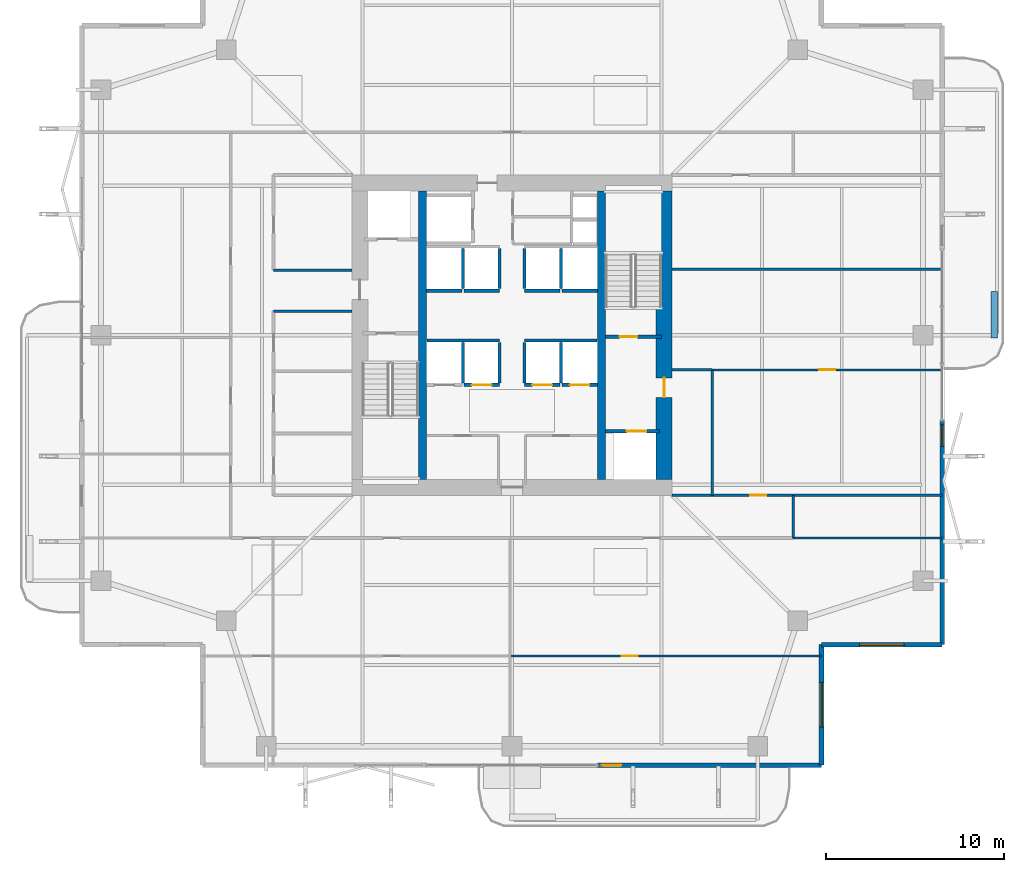
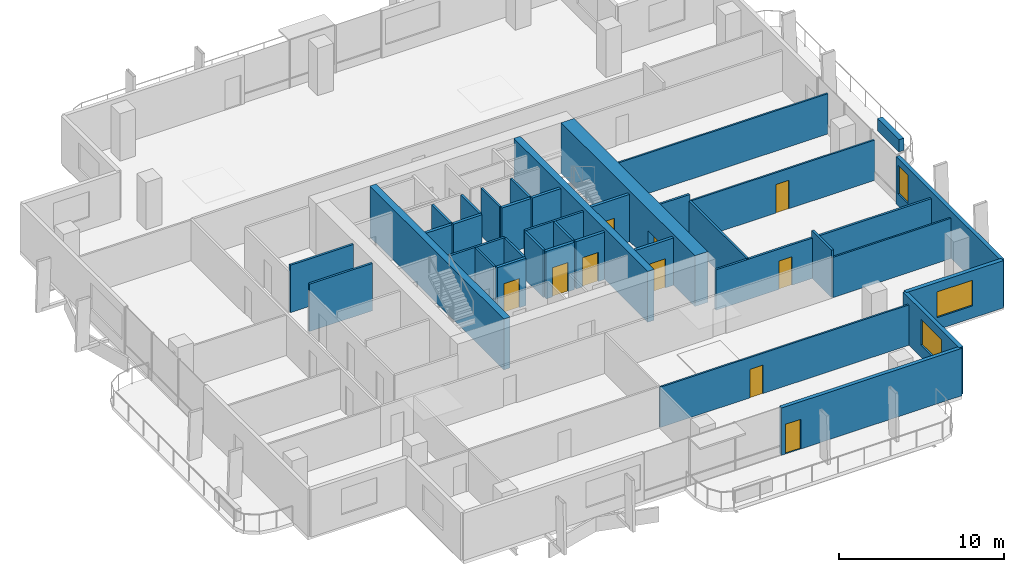
# One storey, part 19 of 25: 37 walls, 10 doors, 3 windows, 13 openings.
"""IFC4 building model written with IfcOpenShell, lengths in metres."""

from ifc_helpers import new_model, si_unit, direction, frame, frame_2d, origin, place, context, subcontext, project, spatial, rectangle, extrude, material, layer, layer_set, type_object, element, fill, save


model = new_model("IFC4")

# Units and contexts
model_context = context("Model", 3, precision=1e-05, world=origin(), true_north=direction((0.0, 1.0)))
body_context = subcontext(model_context, "Body", "Model", "MODEL_VIEW")
ifc_project = project(units=[si_unit("LENGTHUNIT", "METRE"), si_unit("AREAUNIT", "SQUARE_METRE"), si_unit("VOLUMEUNIT", "CUBIC_METRE"), si_unit("PLANEANGLEUNIT", "RADIAN"), si_unit("MASSUNIT", "GRAM", prefix="KILO")], contexts=[model_context])

# Site, building, storey
site_placement = place(None, origin())
site = spatial("IfcSite", under=ifc_project, at=site_placement, CompositionType="ELEMENT")
building_placement = place(site_placement, origin())
building = spatial("IfcBuilding", under=site, at=building_placement, Name="Belovzor Exchange Tower", CompositionType="ELEMENT")
storey_placement = place(building_placement, frame((0.0, 0.0, 142.050048828125)))
storey = spatial("IfcBuildingStorey", under=building, at=storey_placement, Name="L34", CompositionType="ELEMENT", Elevation=142.050048828125)

# Wall, opening, door
ifc_material_1 = material(Name="Acoustic Plasterboard on Galvanised Studs", Category="gypsum")
ifc_layer_1 = layer(ifc_material_1, 0.1201171875)
ifc_layer_set_1 = layer_set([ifc_layer_1], Name="Acoustic Plasterboard on Galvanised Studs")
wall_type_1 = type_object("IfcWallType", Name="Acoustic Double-Stud Partition Wall 120", PredefinedType="PARTITIONING", material=ifc_layer_set_1)
wall_1_placement = place(storey_placement, frame((28.696044921875, 10.76611328125, 0.0), z_axis=(0.0, 0.0, 1.0), x_axis=(1.0, 0.0, 0.0)))
wall_1 = element("IfcWall", 1, at=wall_1_placement, inside=storey, type_object=wall_type_1, Name="W-P120 Partition Wall W-L34-SHDIV-2", PredefinedType="PARTITIONING", context=body_context, shape_type="SweptSolid", body=[
    extrude(rectangle(XDim=17.50390625, YDim=0.1201171875, at=frame_2d((8.751953125, 0.0))), origin(), (0.0, 0.0, 1.0), 2.97998046875),
])
opening_1_placement = place(wall_1_placement, frame((6.277099609375, 0.0, 0.0)))
opening_1 = element("IfcOpeningElement", 2, at=opening_1_placement, cuts=wall_1, Name="Opening D-INT-090", PredefinedType="OPENING", context=body_context, shape_type="SweptSolid", body=[
    extrude(rectangle(XDim=0.89990234375, YDim=2.10009765625, at=frame_2d((0.449951171875, 1.050048828125))), frame((0.0, 0.070068359375, 0.0), z_axis=(0.0, -1.0, 0.0), x_axis=(1.0, 0.0, 0.0)), (0.0, 0.0, 1.0), 0.14013671875),
])
ifc_material_2 = material(Name="Veneered Hardwood Acoustic Leaf", Category="wood")
door_type_1 = type_object("IfcDoorType", Name="Trading Suite Acoustic Single Door 900x2100", OperationType="NOTDEFINED", PredefinedType="DOOR", material=ifc_material_2)
door_1_placement = place(opening_1_placement, origin())
door_1 = element("IfcDoor", 3, at=door_1_placement, inside=storey, type_object=door_type_1, Name="D-INT-090 Trading Suite Acoustic Single Door 900x2100", OperationType="SINGLE_SWING_LEFT", OverallHeight=2.10009765625, OverallWidth=0.89990234375, PredefinedType="DOOR", context=body_context, shape_type="SweptSolid", body=[
    extrude(rectangle(XDim=0.89990234375, YDim=2.10009765625, at=frame_2d((0.449951171875, 1.050048828125))), frame((0.0, 0.02490234375, 0.0), z_axis=(0.0, -1.0, 0.0), x_axis=(1.0, 0.0, 0.0)), (0.0, 0.0, 1.0), 0.050048828125),
])
fill(opening_1, door_1)

wall_2_placement = place(storey_placement, frame((40.050048828125, 26.85009765625, 0.0), z_axis=(0.0, 0.0, 1.0), x_axis=(1.0, 0.0, 0.0)))
wall_2 = element("IfcWall", 4, at=wall_2_placement, inside=storey, type_object=wall_type_1, Name="W-P120 Partition Wall W-L34-EDIV-1", PredefinedType="PARTITIONING", context=body_context, shape_type="SweptSolid", body=[
    extrude(rectangle(XDim=12.919921875, YDim=0.1201171875, at=frame_2d((6.4599609375, 0.0))), origin(), (0.0, 0.0, 1.0), 2.97998046875),
])
opening_2_placement = place(wall_2_placement, frame((6.010009765625, 0.0, 0.0)))
opening_2 = element("IfcOpeningElement", 5, at=opening_2_placement, cuts=wall_2, Name="Opening D-INT-090", PredefinedType="OPENING", context=body_context, shape_type="SweptSolid", body=[
    extrude(rectangle(XDim=0.89990234375, YDim=2.10009765625, at=frame_2d((0.449951171875, 1.050048828125))), frame((0.0, 0.070068359375, 0.0), z_axis=(0.0, -1.0, 0.0), x_axis=(1.0, 0.0, 0.0)), (0.0, 0.0, 1.0), 0.14013671875),
])
door_2_placement = place(opening_2_placement, origin())
door_2 = element("IfcDoor", 6, at=door_2_placement, inside=storey, type_object=door_type_1, Name="D-INT-090 Trading Suite Acoustic Single Door 900x2100", OperationType="SINGLE_SWING_LEFT", OverallHeight=2.10009765625, OverallWidth=0.89990234375, PredefinedType="DOOR", context=body_context, shape_type="SweptSolid", body=[
    extrude(rectangle(XDim=0.89990234375, YDim=2.10009765625, at=frame_2d((0.449951171875, 1.050048828125))), frame((0.0, 0.02490234375, 0.0), z_axis=(0.0, -1.0, 0.0), x_axis=(1.0, 0.0, 0.0)), (0.0, 0.0, 1.0), 0.050048828125),
])
fill(opening_2, door_2)

# Walls
wall_3_placement = place(storey_placement, frame((37.800048828125, 32.5, 0.0), z_axis=(0.0, 0.0, 1.0), x_axis=(1.0, 0.0, 0.0)))
element("IfcWall", 7, at=wall_3_placement, inside=storey, type_object=wall_type_1, Name="W-P120 Partition Wall W-L34-EDIV-2", PredefinedType="PARTITIONING", context=body_context, shape_type="SweptSolid", body=[
    extrude(rectangle(XDim=15.169921875, YDim=0.1201171875, at=frame_2d((7.5849609375, 0.0))), origin(), (0.0, 0.0, 1.0), 2.97998046875),
])
wall_4_placement = place(storey_placement, frame((44.60009765625, 17.39990234375, 0.0), z_axis=(0.0, 0.0, 1.0), x_axis=(1.0, 0.0, 0.0)))
element("IfcWall", 8, at=wall_4_placement, inside=storey, type_object=wall_type_1, Name="W-P120 Partition Wall W-L34-END-SE", PredefinedType="PARTITIONING", context=body_context, shape_type="SweptSolid", body=[
    extrude(rectangle(XDim=8.369873046875, YDim=0.1201171875, at=frame_2d((4.18505859375, 0.0))), origin(), (0.0, 0.0, 1.0), 2.97998046875),
])
ifc_material_3 = material(Name="Fire-Rated Gypsum Block and Mineral Wool", Category="gypsum")
ifc_layer_2 = layer(ifc_material_3, 0.14990234375)
ifc_layer_set_2 = layer_set([ifc_layer_2], Name="Fire-Rated Gypsum Block and Mineral Wool")
wall_type_2 = type_object("IfcWallType", Name="Fire-Rated Gypsum Block Corridor Wall 150", PredefinedType="PARTITIONING", material=ifc_layer_set_2)
for number, where, z_axis, x_axis, name in (
    (9, (15.39990234375, 30.14990234375, 0.0), (0.0, 0.0, 1.0), (1.0, 0.0, 0.0), "W-P150 Partition Wall W-L34-WIC-N"),
    (10, (15.39990234375, 32.449951171875, 0.0), (0.0, 0.0, 1.0), (1.0, 0.0, 0.0), "W-P150 Partition Wall W-L34-CFW-N"),
):
    element("IfcWall", number, at=place(storey_placement, frame(where, z_axis=z_axis, x_axis=x_axis)), inside=storey, type_object=wall_type_2, Name=name, PredefinedType="PARTITIONING", context=body_context, shape_type="SweptSolid", body=[
        extrude(rectangle(XDim=4.400146484375, YDim=0.14990234375, at=frame_2d((2.2001953125, 0.0))), origin(), (0.0, 0.0, 1.0), 3.494873046875),
    ])
wall_5_placement = place(storey_placement, frame((37.800048828125, 26.85009765625, 0.0), z_axis=(0.0, 0.0, 1.0), x_axis=(1.0, 0.0, 0.0)))
element("IfcWall", 11, at=wall_5_placement, inside=storey, type_object=wall_type_2, Name="W-P150 Partition Wall W-L34-CFE-N", PredefinedType="PARTITIONING", context=body_context, shape_type="SweptSolid", body=[
    extrude(rectangle(XDim=2.25, YDim=0.14990234375, at=frame_2d((1.125, 0.0))), origin(), (0.0, 0.0, 1.0), 3.494873046875),
])
wall_6_placement = place(storey_placement, frame((40.050048828125, 19.800048828125, 0.0), z_axis=(0.0, 0.0, 1.0), x_axis=(0.0, 1.0, 0.0)))
element("IfcWall", 12, at=wall_6_placement, inside=storey, type_object=wall_type_2, Name="W-P150 Partition Wall W-L34-CFE-E", PredefinedType="PARTITIONING", context=body_context, shape_type="SweptSolid", body=[
    extrude(rectangle(XDim=7.050048828125, YDim=0.14990234375, at=frame_2d((3.52490234375, 0.0))), origin(), (0.0, 0.0, 1.0), 3.030029296875),
])
wall_7_placement = place(storey_placement, frame((44.60009765625, 17.39990234375, 0.0), z_axis=(0.0, 0.0, 1.0), x_axis=(0.0, 1.0, 0.0)))
element("IfcWall", 13, at=wall_7_placement, inside=storey, type_object=wall_type_2, Name="W-P150 Partition Wall W-L34-END-ES", PredefinedType="PARTITIONING", context=body_context, shape_type="SweptSolid", body=[
    extrude(rectangle(XDim=2.400146484375, YDim=0.14990234375, at=frame_2d((1.2001953125, 0.0))), origin(), (0.0, 0.0, 1.0), 3.494873046875),
])

# Wall, opening, door
wall_8_placement = place(storey_placement, frame((37.800048828125, 19.800048828125, 0.0), z_axis=(0.0, 0.0, 1.0), x_axis=(1.0, 0.0, 0.0)))
wall_8 = element("IfcWall", 14, at=wall_8_placement, inside=storey, type_object=wall_type_2, Name="W-P150 Partition Wall W-L34-CS-IN", PredefinedType="PARTITIONING", context=body_context, shape_type="SweptSolid", body=[
    extrude(rectangle(XDim=15.169921875, YDim=0.14990234375, at=frame_2d((7.5849609375, 0.0))), origin(), (0.0, 0.0, 1.0), 2.97998046875),
])
opening_3_placement = place(wall_8_placement, frame((4.39990234375, 0.0, 0.0)))
opening_3 = element("IfcOpeningElement", 15, at=opening_3_placement, cuts=wall_8, Name="Opening D-INT-090", PredefinedType="OPENING", context=body_context, shape_type="SweptSolid", body=[
    extrude(rectangle(XDim=0.89990234375, YDim=2.10009765625, at=frame_2d((0.449951171875, 1.050048828125))), frame((0.0, 0.0849609375, 0.0), z_axis=(0.0, -1.0, 0.0), x_axis=(1.0, 0.0, 0.0)), (0.0, 0.0, 1.0), 0.169921875),
])
door_3_placement = place(opening_3_placement, origin())
door_3 = element("IfcDoor", 16, at=door_3_placement, inside=storey, type_object=door_type_1, Name="D-INT-090 Trading Suite Acoustic Single Door 900x2100", OperationType="SINGLE_SWING_LEFT", OverallHeight=2.10009765625, OverallWidth=0.89990234375, PredefinedType="DOOR", context=body_context, shape_type="SweptSolid", body=[
    extrude(rectangle(XDim=0.89990234375, YDim=2.10009765625, at=frame_2d((0.449951171875, 1.050048828125))), frame((0.0, 0.02490234375, 0.0), z_axis=(0.0, -1.0, 0.0), x_axis=(1.0, 0.0, 0.0)), (0.0, 0.0, 1.0), 0.050048828125),
])
fill(opening_3, door_3)

# Wall, opening, window
ifc_material_4 = material(Name="Precast concrete C40/50", Category="concrete")
ifc_layer_3 = layer(ifc_material_4, 0.280029296875)
ifc_layer_set_3 = layer_set([ifc_layer_3], Name="Precast concrete C40/50")
wall_type_3 = type_object("IfcWallType", Name="Precast Concrete Notched Corner Frame Wall 280", PredefinedType="SOLIDWALL", material=ifc_layer_set_3)
wall_9_placement = place(storey_placement, frame((52.969970703125, 11.39990234375, 0.0), z_axis=(0.0, 0.0, 1.0), x_axis=(-1.0, 0.0, 0.0)))
wall_9 = element("IfcWall", 17, at=wall_9_placement, inside=storey, type_object=wall_type_3, Name="W-CRN280 Precast Concrete Notched Corner Frame Wall 280 L34", PredefinedType="SOLIDWALL", context=body_context, shape_type="SweptSolid", body=[
    extrude(rectangle(XDim=6.77001953125, YDim=0.280029296875, at=frame_2d((3.385009765625, 0.0))), origin(), (0.0, 0.0, 1.0), 3.494873046875),
])
opening_4_placement = place(wall_9_placement, frame((2.135009765625, 0.0, 0.89990234375)))
opening_4 = element("IfcOpeningElement", 18, at=opening_4_placement, cuts=wall_9, Name="Opening WN-CRN250", PredefinedType="OPENING", context=body_context, shape_type="SweptSolid", body=[
    extrude(rectangle(XDim=2.5, YDim=1.89990234375, at=frame_2d((1.25, 0.949951171875))), frame((0.0, 0.14990234375, 0.0), z_axis=(0.0, -1.0, 0.0), x_axis=(1.0, 0.0, 0.0)), (0.0, 0.0, 1.0), 0.300048828125),
])
ifc_material_5 = material(Name="Thermally Broken Aluminium and Triple Glazing", Category="aluminium")
window_type_1 = type_object("IfcWindowType", Name="Streamline Moderne Corner Wrap Ribbon Window 2500x1900", PartitioningType="SINGLE_PANEL", PredefinedType="WINDOW", material=ifc_material_5)
window_1_placement = place(opening_4_placement, origin())
window_1 = element("IfcWindow", 19, at=window_1_placement, inside=storey, type_object=window_type_1, Name="WN-CRN250 Streamline Moderne Corner Wrap Ribbon Window 2500x1900", OverallHeight=1.89990234375, OverallWidth=2.5, PartitioningType="SINGLE_PANEL", PredefinedType="WINDOW", context=body_context, shape_type="SweptSolid", body=[
    extrude(rectangle(XDim=2.5, YDim=1.89990234375, at=frame_2d((1.25, 0.949951171875))), frame((0.0, 0.030029296875, 0.0), z_axis=(0.0, -1.0, 0.0), x_axis=(1.0, 0.0, 0.0)), (0.0, 0.0, 1.0), 0.06005859375),
])
fill(opening_4, window_1)

wall_10_placement = place(storey_placement, frame((46.199951171875, 11.39990234375, 0.0), z_axis=(0.0, 0.0, 1.0), x_axis=(0.0, -1.0, 0.0)))
wall_10 = element("IfcWall", 20, at=wall_10_placement, inside=storey, type_object=wall_type_3, Name="W-CRN280 Precast Concrete Notched Corner Frame Wall 280 L34", PredefinedType="SOLIDWALL", context=body_context, shape_type="SweptSolid", body=[
    extrude(rectangle(XDim=6.77001953125, YDim=0.280029296875, at=frame_2d((3.385009765625, 0.0))), origin(), (0.0, 0.0, 1.0), 3.494873046875),
])
opening_5_placement = place(wall_10_placement, frame((2.135009765625, 0.0, 0.89990234375)))
opening_5 = element("IfcOpeningElement", 21, at=opening_5_placement, cuts=wall_10, Name="Opening WN-CRN250", PredefinedType="OPENING", context=body_context, shape_type="SweptSolid", body=[
    extrude(rectangle(XDim=2.5, YDim=1.89990234375, at=frame_2d((1.25, 0.949951171875))), frame((0.0, 0.14990234375, 0.0), z_axis=(0.0, -1.0, 0.0), x_axis=(1.0, 0.0, 0.0)), (0.0, 0.0, 1.0), 0.300048828125),
])
window_2_placement = place(opening_5_placement, origin())
window_2 = element("IfcWindow", 22, at=window_2_placement, inside=storey, type_object=window_type_1, Name="WN-CRN250 Streamline Moderne Corner Wrap Ribbon Window 2500x1900", OverallHeight=1.89990234375, OverallWidth=2.5, PartitioningType="SINGLE_PANEL", PredefinedType="WINDOW", context=body_context, shape_type="SweptSolid", body=[
    extrude(rectangle(XDim=2.5, YDim=1.89990234375, at=frame_2d((1.25, 0.949951171875))), frame((0.0, 0.030029296875, 0.0), z_axis=(0.0, -1.0, 0.0), x_axis=(1.0, 0.0, 0.0)), (0.0, 0.0, 1.0), 0.06005859375),
])
fill(opening_5, window_2)

# Wall, opening, door
ifc_material_6 = material(Name="Precast concrete C40/50", Category="concrete")
ifc_layer_4 = layer(ifc_material_6, 0.260009765625)
ifc_layer_set_4 = layer_set([ifc_layer_4], Name="Precast concrete C40/50")
wall_type_4 = type_object("IfcWallType", Name="Precast Concrete Perimeter Loggia Frame Wall 260", PredefinedType="SOLIDWALL", material=ifc_layer_set_4)
wall_11_placement = place(storey_placement, frame((46.199951171875, 4.6298828125, 0.0), z_axis=(0.0, 0.0, 1.0), x_axis=(-1.0, 0.0, 0.0)))
wall_11 = element("IfcWall", 23, at=wall_11_placement, inside=storey, type_object=wall_type_4, Name="W-EXT260 Precast Concrete Perimeter Loggia Frame Wall 260 L34", PredefinedType="SOLIDWALL", context=body_context, shape_type="SweptSolid", body=[
    extrude(rectangle(XDim=12.599853515625, YDim=0.260009765625, at=frame_2d((6.2998046875, 0.0))), origin(), (0.0, 0.0, 1.0), 3.494873046875),
])
opening_6_placement = place(wall_11_placement, frame((11.25, 0.0, 0.0)))
opening_6 = element("IfcOpeningElement", 24, at=opening_6_placement, cuts=wall_11, Name="Opening D-BAL110", PredefinedType="OPENING", context=body_context, shape_type="SweptSolid", body=[
    extrude(rectangle(XDim=1.10009765625, YDim=2.199951171875, at=frame_2d((0.550048828125, 1.10009765625))), frame((0.0, 0.139892578125, 0.0), z_axis=(0.0, -1.0, 0.0), x_axis=(1.0, 0.0, 0.0)), (0.0, 0.0, 1.0), 0.280029296875),
])
ifc_material_7 = material(Name="Thermally Broken Anodised Aluminium and Laminated Glass", Category="aluminium")
door_type_2 = type_object("IfcDoorType", Name="Planted Loggia Terrace Glazed Door 1100x2200", OperationType="SINGLE_SWING_LEFT", PredefinedType="DOOR", material=ifc_material_7)
door_4_placement = place(opening_6_placement, origin())
door_4 = element("IfcDoor", 25, at=door_4_placement, inside=storey, type_object=door_type_2, Name="D-BAL110 Balcony Terrace Door L34 S", OperationType="SINGLE_SWING_LEFT", OverallHeight=2.199951171875, OverallWidth=1.10009765625, PredefinedType="DOOR", context=body_context, shape_type="SweptSolid", body=[
    extrude(rectangle(XDim=1.10009765625, YDim=2.199951171875, at=frame_2d((0.550048828125, 1.10009765625))), frame((0.0, 0.02490234375, 0.0), z_axis=(0.0, -1.0, 0.0), x_axis=(1.0, 0.0, 0.0)), (0.0, 0.0, 1.0), 0.050048828125),
])
fill(opening_6, door_4)

# Wall, opening, window
wall_12_placement = place(storey_placement, frame((52.969970703125, 24.0, 0.0), z_axis=(0.0, 0.0, 1.0), x_axis=(0.0, -1.0, 0.0)))
wall_12 = element("IfcWall", 26, at=wall_12_placement, inside=storey, type_object=wall_type_4, Name="W-EXT260 Precast Concrete Perimeter Loggia Frame Wall 260 L34", PredefinedType="SOLIDWALL", context=body_context, shape_type="SweptSolid", body=[
    extrude(rectangle(XDim=12.60009765625, YDim=0.260009765625, at=frame_2d((6.300048828125, 0.0))), origin(), (0.0, 0.0, 1.0), 3.494873046875),
])
opening_7_placement = place(wall_12_placement, frame((0.25, 0.0, 0.89990234375)))
opening_7 = element("IfcOpeningElement", 27, at=opening_7_placement, cuts=wall_12, Name="Opening WN-CRN120", PredefinedType="OPENING", context=body_context, shape_type="SweptSolid", body=[
    extrude(rectangle(XDim=1.199951171875, YDim=2.10009765625, at=frame_2d((0.60009765625, 1.050048828125))), frame((0.0, 0.139892578125, 0.0), z_axis=(0.0, -1.0, 0.0), x_axis=(1.0, 0.0, 0.0)), (0.0, 0.0, 1.0), 0.280029296875),
])
ifc_material_8 = material(Name="Thermally Broken Aluminium and Triple Glazing", Category="aluminium")
window_type_2 = type_object("IfcWindowType", Name="Streamline Notched Corner Window 1200x2100", PartitioningType="SINGLE_PANEL", PredefinedType="WINDOW", material=ifc_material_8)
window_3_placement = place(opening_7_placement, origin())
window_3 = element("IfcWindow", 28, at=window_3_placement, inside=storey, type_object=window_type_2, Name="WN-CRN120 Streamline Notched Corner Window 1200x2100", OverallHeight=2.10009765625, OverallWidth=1.199951171875, PartitioningType="SINGLE_PANEL", PredefinedType="WINDOW", context=body_context, shape_type="SweptSolid", body=[
    extrude(rectangle(XDim=1.199951171875, YDim=2.10009765625, at=frame_2d((0.60009765625, 1.050048828125))), frame((0.0, 0.030029296875, 0.0), z_axis=(0.0, -1.0, 0.0), x_axis=(1.0, 0.0, 0.0)), (0.0, 0.0, 1.0), 0.06005859375),
])
fill(opening_7, window_3)

# Walls
ifc_material_9 = material(Name="Precast concrete C40/50", Category="concrete")
ifc_layer_5 = layer(ifc_material_9, 0.35009765625)
ifc_layer_set_5 = layer_set([ifc_layer_5], Name="Precast concrete C40/50")
wall_type_5 = type_object("IfcWallType", Name="Precast Concrete Structural Tree Planter Trough 350", PredefinedType="PARAPET", material=ifc_layer_set_5)
wall_13_placement = place(storey_placement, frame((55.89990234375, 28.64990234375, 0.0), z_axis=(0.0, 0.0, 1.0), x_axis=(0.0, 1.0, 0.0)))
element("IfcWall", 29, at=wall_13_placement, inside=storey, type_object=wall_type_5, Name="PT-350 Precast Concrete Structural Tree Planter Trough 350 L34", PredefinedType="PARAPET", context=body_context, shape_type="SweptSolid", body=[
    extrude(rectangle(XDim=2.60009765625, YDim=0.35009765625, at=frame_2d((1.300048828125, 0.0))), origin(), (0.0, 0.0, 1.0), 0.89990234375),
])
ifc_material_10 = material(Name="Concrete C50/60", Category="concrete")
ifc_layer_6 = layer(ifc_material_10, 0.449951171875)
ifc_layer_set_6 = layer_set([ifc_layer_6], Name="Concrete C50/60")
wall_type_6 = type_object("IfcWallType", Name="Reinforced Concrete Core Internal Web Wall 450", PredefinedType="SHEAR", material=ifc_layer_set_6)
for number, where, z_axis, x_axis, name in (
    (30, (23.77490234375, 20.699951171875, 0.0), (0.0, 0.0, 1.0), (0.0, 1.0, 0.0), "CW-W045 Core Internal Web Wall L34 WL"),
    (31, (33.824951171875, 20.699951171875, 0.0), (0.0, 0.0, 1.0), (0.0, 1.0, 0.0), "CW-W045 Core Internal Web Wall L34 ER"),
):
    element("IfcWall", number, at=place(storey_placement, frame(where, z_axis=z_axis, x_axis=x_axis)), inside=storey, type_object=wall_type_6, Name=name, PredefinedType="SHEAR", context=body_context, shape_type="SweptSolid", body=[
        extrude(rectangle(XDim=16.199951171875, YDim=0.449951171875, at=frame_2d((8.10009765625, 0.0))), origin(), (0.0, 0.0, 1.0), 3.75),
    ])
ifc_material_11 = material(Name="Concrete C50/60", Category="concrete")
ifc_layer_7 = layer(ifc_material_11, 0.14990234375)
ifc_layer_set_7 = layer_set([ifc_layer_7], Name="Concrete C50/60")
wall_type_7 = type_object("IfcWallType", Name="Reinforced Concrete Core Riser Shear Wall 150", PredefinedType="SHEAR", material=ifc_layer_set_7)
for number, where, z_axis, x_axis, name in (
    (32, (24.02001953125, 28.5, 0.0), (0.0, 0.0, 1.0), (1.0, 0.0, 0.0), "W-C150S Core Shaft Wall W-SHB-L34-PLM-NW"),
    (33, (29.5, 28.5, 0.0), (0.0, 0.0, 1.0), (1.0, 0.0, 0.0), "W-C150S Core Shaft Wall W-SHB-L34-PLM-NE"),
):
    element("IfcWall", number, at=place(storey_placement, frame(where, z_axis=z_axis, x_axis=x_axis)), inside=storey, type_object=wall_type_7, Name=name, PredefinedType="SHEAR", context=body_context, shape_type="SweptSolid", body=[
        extrude(rectangle(XDim=4.080078125, YDim=0.14990234375, at=frame_2d((2.0400390625, 0.0))), origin(), (0.0, 0.0, 1.0), 3.494873046875),
    ])
for number, where, z_axis, x_axis, name in (
    (34, (26.050048828125, 26.1201171875, 0.0), (0.0, 0.0, 1.0), (0.0, 1.0, 0.0), "W-C150S Core Shaft Wall W-SHD-L34-PLM-1"),
    (35, (28.10009765625, 26.1201171875, 0.0), (0.0, 0.0, 1.0), (0.0, 1.0, 0.0), "W-C150S Core Shaft Wall W-SHD-L34-PLM-2"),
    (36, (29.5, 26.1201171875, 0.0), (0.0, 0.0, 1.0), (0.0, 1.0, 0.0), "W-C150S Core Shaft Wall W-SHD-L34-PLM-3"),
    (37, (31.550048828125, 26.1201171875, 0.0), (0.0, 0.0, 1.0), (0.0, 1.0, 0.0), "W-C150S Core Shaft Wall W-SHD-L34-PLM-4"),
):
    element("IfcWall", number, at=place(storey_placement, frame(where, z_axis=z_axis, x_axis=x_axis)), inside=storey, type_object=wall_type_7, Name=name, PredefinedType="SHEAR", context=body_context, shape_type="SweptSolid", body=[
        extrude(rectangle(XDim=2.27978515625, YDim=0.14990234375, at=frame_2d((1.139892578125, 0.0))), origin(), (0.0, 0.0, 1.0), 3.494873046875),
    ])
for number, where, z_axis, x_axis, name in (
    (38, (26.050048828125, 31.419921875, 0.0), (0.0, 0.0, 1.0), (0.0, 1.0, 0.0), "W-C150S Core Shaft Wall W-SHD-L34-PLH-1"),
    (39, (28.10009765625, 31.419921875, 0.0), (0.0, 0.0, 1.0), (0.0, 1.0, 0.0), "W-C150S Core Shaft Wall W-SHD-L34-PLH-2"),
    (40, (29.5, 31.419921875, 0.0), (0.0, 0.0, 1.0), (0.0, 1.0, 0.0), "W-C150S Core Shaft Wall W-SHD-L34-PLH-3"),
    (41, (31.550048828125, 31.419921875, 0.0), (0.0, 0.0, 1.0), (0.0, 1.0, 0.0), "W-C150S Core Shaft Wall W-SHD-L34-PLH-4"),
):
    element("IfcWall", number, at=place(storey_placement, frame(where, z_axis=z_axis, x_axis=x_axis)), inside=storey, type_object=wall_type_7, Name=name, PredefinedType="SHEAR", context=body_context, shape_type="SweptSolid", body=[
        extrude(rectangle(XDim=2.239990234375, YDim=0.14990234375, at=frame_2d((1.1201171875, 0.0))), origin(), (0.0, 0.0, 1.0), 3.494873046875),
    ])

# Wall, opening, door
ifc_material_12 = material(Name="Concrete C50/60", Category="concrete")
ifc_layer_8 = layer(ifc_material_12, 0.199951171875)
ifc_layer_set_8 = layer_set([ifc_layer_8], Name="Concrete C50/60")
wall_type_8 = type_object("IfcWallType", Name="Reinforced Concrete Core Shaft Shear Wall 200", PredefinedType="SHEAR", material=ifc_layer_set_8)
wall_14_placement = place(storey_placement, frame((34.050048828125, 28.699951171875, 0.0), z_axis=(0.0, 0.0, 1.0), x_axis=(1.0, 0.0, 0.0)))
wall_14 = element("IfcWall", 42, at=wall_14_placement, inside=storey, type_object=wall_type_8, Name="W-C200S Core Shaft Wall W-CORE-L34-FFLE2", PredefinedType="SHEAR", context=body_context, shape_type="SweptSolid", body=[
    extrude(rectangle(XDim=3.14990234375, YDim=0.199951171875, at=frame_2d((1.574951171875, 0.0))), origin(), (0.0, 0.0, 1.0), 3.494873046875),
])
opening_8_placement = place(wall_14_placement, frame((0.800048828125, 0.0, 0.0)))
opening_8 = element("IfcOpeningElement", 43, at=opening_8_placement, cuts=wall_14, Name="Opening D-FD90-100", PredefinedType="OPENING", context=body_context, shape_type="SweptSolid", body=[
    extrude(rectangle(XDim=1.0, YDim=2.10009765625, at=frame_2d((0.5, 1.050048828125))), frame((0.0, 0.10986328125, 0.0), z_axis=(0.0, -1.0, 0.0), x_axis=(1.0, 0.0, 0.0)), (0.0, 0.0, 1.0), 0.219970703125),
])
ifc_material_13 = material(Name="Fire-Rated Galvanised Steel Leaf", Category="steel")
door_type_3 = type_object("IfcDoorType", Name="Protected Stairwell Single Fire Door 1000x2100", OperationType="NOTDEFINED", PredefinedType="DOOR", material=ifc_material_13)
door_5_placement = place(opening_8_placement, origin())
door_5 = element("IfcDoor", 44, at=door_5_placement, inside=storey, type_object=door_type_3, Name="D-FD90-100 Protected Stairwell Single Fire Door 1000x2100", OperationType="SINGLE_SWING_LEFT", OverallHeight=2.10009765625, OverallWidth=1.0, PredefinedType="DOOR", context=body_context, shape_type="SweptSolid", body=[
    extrude(rectangle(XDim=1.0, YDim=2.10009765625, at=frame_2d((0.5, 1.050048828125))), frame((0.0, 0.02490234375, 0.0), z_axis=(0.0, -1.0, 0.0), x_axis=(1.0, 0.0, 0.0)), (0.0, 0.0, 1.0), 0.050048828125),
])
fill(opening_8, door_5)

wall_15_placement = place(storey_placement, frame((34.050048828125, 23.39990234375, 0.0), z_axis=(0.0, 0.0, 1.0), x_axis=(1.0, 0.0, 0.0)))
wall_15 = element("IfcWall", 45, at=wall_15_placement, inside=storey, type_object=wall_type_8, Name="W-C200S Core Shaft Wall W-SH-L34-FFL-02", PredefinedType="SHEAR", context=body_context, shape_type="SweptSolid", body=[
    extrude(rectangle(XDim=3.050048828125, YDim=0.199951171875, at=frame_2d((1.52490234375, 0.0))), origin(), (0.0, 0.0, 1.0), 3.494873046875),
])
opening_9_placement = place(wall_15_placement, frame((1.199951171875, 0.0, 0.0)))
opening_9 = element("IfcOpeningElement", 46, at=opening_9_placement, cuts=wall_15, Name="Opening LD-110", PredefinedType="OPENING", context=body_context, shape_type="SweptSolid", body=[
    extrude(rectangle(XDim=1.10009765625, YDim=2.14990234375, at=frame_2d((0.550048828125, 1.074951171875))), frame((0.0, 0.10986328125, 0.0), z_axis=(0.0, -1.0, 0.0), x_axis=(1.0, 0.0, 0.0)), (0.0, 0.0, 1.0), 0.219970703125),
])
ifc_material_14 = material(Name="Stainless Steel Grade 304", Category="steel")
door_type_4 = type_object("IfcDoorType", Name="Automated Stainless Steel Lift Landing Door 1100x2150", OperationType="SLIDING_TO_RIGHT", PredefinedType="DOOR", material=ifc_material_14)
door_6_placement = place(opening_9_placement, origin())
door_6 = element("IfcDoor", 47, at=door_6_placement, inside=storey, type_object=door_type_4, Name="LD-110 Automated Stainless Steel Lift Landing Door 1100x2150", OperationType="SLIDING_TO_RIGHT", OverallHeight=2.14990234375, OverallWidth=1.10009765625, PredefinedType="DOOR", context=body_context, shape_type="SweptSolid", body=[
    extrude(rectangle(XDim=1.10009765625, YDim=2.14990234375, at=frame_2d((0.550048828125, 1.074951171875))), frame((0.0, 0.02490234375, 0.0), z_axis=(0.0, -1.0, 0.0), x_axis=(1.0, 0.0, 0.0)), (0.0, 0.0, 1.0), 0.050048828125),
])
fill(opening_9, door_6)

wall_16_placement = place(storey_placement, frame((26.10009765625, 26.0, 0.0), z_axis=(0.0, 0.0, 1.0), x_axis=(1.0, 0.0, 0.0)))
wall_16 = element("IfcWall", 48, at=wall_16_placement, inside=storey, type_object=wall_type_8, Name="W-C200S Core Shaft Wall W-SH-L34-PL-M2", PredefinedType="SHEAR", context=body_context, shape_type="SweptSolid", body=[
    extrude(rectangle(XDim=2.0, YDim=0.199951171875, at=frame_2d((1.0, 0.0))), origin(), (0.0, 0.0, 1.0), 3.494873046875),
])
opening_10_placement = place(wall_16_placement, frame((0.449951171875, 0.0, 0.0)))
opening_10 = element("IfcOpeningElement", 49, at=opening_10_placement, cuts=wall_16, Name="Opening LD-110", PredefinedType="OPENING", context=body_context, shape_type="SweptSolid", body=[
    extrude(rectangle(XDim=1.10009765625, YDim=2.14990234375, at=frame_2d((0.550048828125, 1.074951171875))), frame((0.0, 0.10986328125, 0.0), z_axis=(0.0, -1.0, 0.0), x_axis=(1.0, 0.0, 0.0)), (0.0, 0.0, 1.0), 0.219970703125),
])
door_7_placement = place(opening_10_placement, origin())
door_7 = element("IfcDoor", 50, at=door_7_placement, inside=storey, type_object=door_type_4, Name="LD-110 Automated Stainless Steel Lift Landing Door 1100x2150", OperationType="SLIDING_TO_RIGHT", OverallHeight=2.14990234375, OverallWidth=1.10009765625, PredefinedType="DOOR", context=body_context, shape_type="SweptSolid", body=[
    extrude(rectangle(XDim=1.10009765625, YDim=2.14990234375, at=frame_2d((0.550048828125, 1.074951171875))), frame((0.0, 0.02490234375, 0.0), z_axis=(0.0, -1.0, 0.0), x_axis=(1.0, 0.0, 0.0)), (0.0, 0.0, 1.0), 0.050048828125),
])
fill(opening_10, door_7)

wall_17_placement = place(storey_placement, frame((29.5, 26.0, 0.0), z_axis=(0.0, 0.0, 1.0), x_axis=(1.0, 0.0, 0.0)))
wall_17 = element("IfcWall", 51, at=wall_17_placement, inside=storey, type_object=wall_type_8, Name="W-C200S Core Shaft Wall W-SH-L34-PL-M3", PredefinedType="SHEAR", context=body_context, shape_type="SweptSolid", body=[
    extrude(rectangle(XDim=2.0, YDim=0.199951171875, at=frame_2d((1.0, 0.0))), origin(), (0.0, 0.0, 1.0), 3.494873046875),
])
opening_11_placement = place(wall_17_placement, frame((0.449951171875, 0.0, 0.0)))
opening_11 = element("IfcOpeningElement", 52, at=opening_11_placement, cuts=wall_17, Name="Opening LD-110", PredefinedType="OPENING", context=body_context, shape_type="SweptSolid", body=[
    extrude(rectangle(XDim=1.10009765625, YDim=2.14990234375, at=frame_2d((0.550048828125, 1.074951171875))), frame((0.0, 0.10986328125, 0.0), z_axis=(0.0, -1.0, 0.0), x_axis=(1.0, 0.0, 0.0)), (0.0, 0.0, 1.0), 0.219970703125),
])
door_8_placement = place(opening_11_placement, origin())
door_8 = element("IfcDoor", 53, at=door_8_placement, inside=storey, type_object=door_type_4, Name="LD-110 Automated Stainless Steel Lift Landing Door 1100x2150", OperationType="SLIDING_TO_RIGHT", OverallHeight=2.14990234375, OverallWidth=1.10009765625, PredefinedType="DOOR", context=body_context, shape_type="SweptSolid", body=[
    extrude(rectangle(XDim=1.10009765625, YDim=2.14990234375, at=frame_2d((0.550048828125, 1.074951171875))), frame((0.0, 0.02490234375, 0.0), z_axis=(0.0, -1.0, 0.0), x_axis=(1.0, 0.0, 0.0)), (0.0, 0.0, 1.0), 0.050048828125),
])
fill(opening_11, door_8)

wall_18_placement = place(storey_placement, frame((31.60009765625, 26.0, 0.0), z_axis=(0.0, 0.0, 1.0), x_axis=(1.0, 0.0, 0.0)))
wall_18 = element("IfcWall", 54, at=wall_18_placement, inside=storey, type_object=wall_type_8, Name="W-C200S Core Shaft Wall W-SH-L34-PL-M4", PredefinedType="SHEAR", context=body_context, shape_type="SweptSolid", body=[
    extrude(rectangle(XDim=2.0, YDim=0.199951171875, at=frame_2d((1.0, 0.0))), origin(), (0.0, 0.0, 1.0), 3.494873046875),
])
opening_12_placement = place(wall_18_placement, frame((0.449951171875, 0.0, 0.0)))
opening_12 = element("IfcOpeningElement", 55, at=opening_12_placement, cuts=wall_18, Name="Opening LD-110", PredefinedType="OPENING", context=body_context, shape_type="SweptSolid", body=[
    extrude(rectangle(XDim=1.10009765625, YDim=2.14990234375, at=frame_2d((0.550048828125, 1.074951171875))), frame((0.0, 0.10986328125, 0.0), z_axis=(0.0, -1.0, 0.0), x_axis=(1.0, 0.0, 0.0)), (0.0, 0.0, 1.0), 0.219970703125),
])
door_9_placement = place(opening_12_placement, origin())
door_9 = element("IfcDoor", 56, at=door_9_placement, inside=storey, type_object=door_type_4, Name="LD-110 Automated Stainless Steel Lift Landing Door 1100x2150", OperationType="SLIDING_TO_RIGHT", OverallHeight=2.14990234375, OverallWidth=1.10009765625, PredefinedType="DOOR", context=body_context, shape_type="SweptSolid", body=[
    extrude(rectangle(XDim=1.10009765625, YDim=2.14990234375, at=frame_2d((0.550048828125, 1.074951171875))), frame((0.0, 0.02490234375, 0.0), z_axis=(0.0, -1.0, 0.0), x_axis=(1.0, 0.0, 0.0)), (0.0, 0.0, 1.0), 0.050048828125),
])
fill(opening_12, door_9)

# Walls
for number, where, z_axis, x_axis, name in (
    (57, (24.0, 31.300048828125, 0.0), (0.0, 0.0, 1.0), (1.0, 0.0, 0.0), "W-C200S Core Shaft Wall W-SH-L34-PL-H1"),
    (58, (26.10009765625, 31.300048828125, 0.0), (0.0, 0.0, 1.0), (1.0, 0.0, 0.0), "W-C200S Core Shaft Wall W-SH-L34-PL-H2"),
    (59, (29.5, 31.300048828125, 0.0), (0.0, 0.0, 1.0), (1.0, 0.0, 0.0), "W-C200S Core Shaft Wall W-SH-L34-PL-H3"),
    (60, (31.60009765625, 31.300048828125, 0.0), (0.0, 0.0, 1.0), (1.0, 0.0, 0.0), "W-C200S Core Shaft Wall W-SH-L34-PL-H4"),
):
    element("IfcWall", number, at=place(storey_placement, frame(where, z_axis=z_axis, x_axis=x_axis)), inside=storey, type_object=wall_type_8, Name=name, PredefinedType="SHEAR", context=body_context, shape_type="SweptSolid", body=[
        extrude(rectangle(XDim=2.0, YDim=0.199951171875, at=frame_2d((1.0, 0.0))), origin(), (0.0, 0.0, 1.0), 3.494873046875),
    ])

# Wall, opening, door
ifc_material_15 = material(Name="Concrete C60/75", Category="concrete")
ifc_layer_9 = layer(ifc_material_15, 0.89990234375)
ifc_layer_set_9 = layer_set([ifc_layer_9], Name="Concrete C60/75")
wall_type_9 = type_object("IfcWallType", Name="Reinforced Concrete Core Shear Wall 900", PredefinedType="SHEAR", material=ifc_layer_set_9)
wall_19_placement = place(storey_placement, frame((37.35009765625, 20.699951171875, 0.0), z_axis=(0.0, 0.0, 1.0), x_axis=(0.0, 1.0, 0.0)))
wall_19 = element("IfcWall", 61, at=wall_19_placement, inside=storey, type_object=wall_type_9, Name="CW-S090 Core Shear Wall L34 E", PredefinedType="SHEAR", context=body_context, shape_type="SweptSolid", body=[
    extrude(rectangle(XDim=16.199951171875, YDim=0.89990234375, at=frame_2d((8.10009765625, 0.0))), origin(), (0.0, 0.0, 1.0), 3.75),
])
opening_13_placement = place(wall_19_placement, frame((4.60009765625, 0.0, 0.0)))
opening_13 = element("IfcOpeningElement", 62, at=opening_13_placement, cuts=wall_19, Name="Opening D-FD90-110", PredefinedType="OPENING", context=body_context, shape_type="SweptSolid", body=[
    extrude(rectangle(XDim=1.10009765625, YDim=2.14990234375, at=frame_2d((0.550048828125, 1.074951171875))), frame((0.0, 0.4599609375, 0.0), z_axis=(0.0, -1.0, 0.0), x_axis=(1.0, 0.0, 0.0)), (0.0, 0.0, 1.0), 0.919921875),
])
ifc_material_16 = material(Name="Fire-Rated Galvanised Steel Leaf", Category="steel")
door_type_5 = type_object("IfcDoorType", Name="Protected Escape Vestibule Fire Door 1100x2150", OperationType="NOTDEFINED", PredefinedType="DOOR", material=ifc_material_16)
door_10_placement = place(opening_13_placement, origin())
door_10 = element("IfcDoor", 63, at=door_10_placement, inside=storey, type_object=door_type_5, Name="D-FD90-110 Protected Escape Vestibule Fire Door 1100x2150", OperationType="SINGLE_SWING_RIGHT", OverallHeight=2.14990234375, OverallWidth=1.10009765625, PredefinedType="DOOR", context=body_context, shape_type="SweptSolid", body=[
    extrude(rectangle(XDim=1.10009765625, YDim=2.14990234375, at=frame_2d((0.550048828125, 1.074951171875))), frame((0.0, 0.02490234375, 0.0), z_axis=(0.0, -1.0, 0.0), x_axis=(1.0, 0.0, 0.0)), (0.0, 0.0, 1.0), 0.050048828125),
])
fill(opening_13, door_10)

save(model, "model.ifc")
